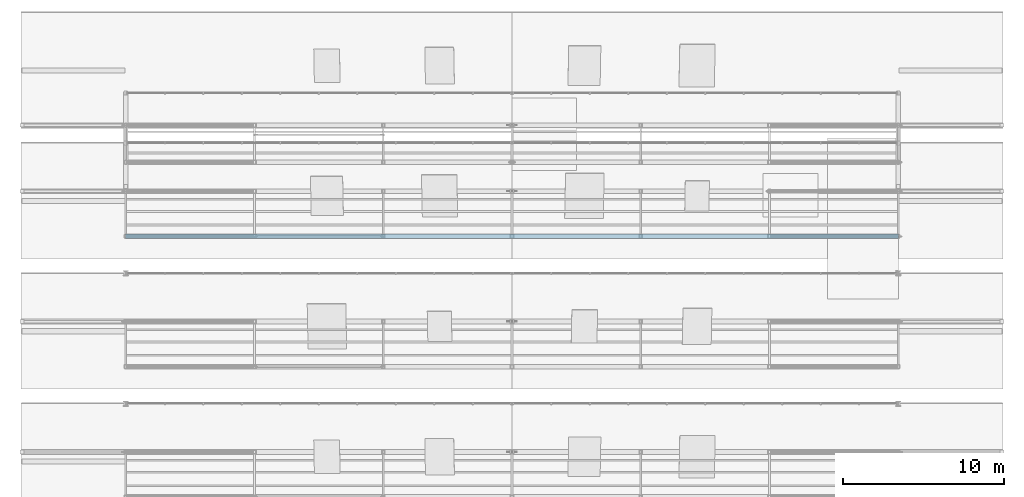
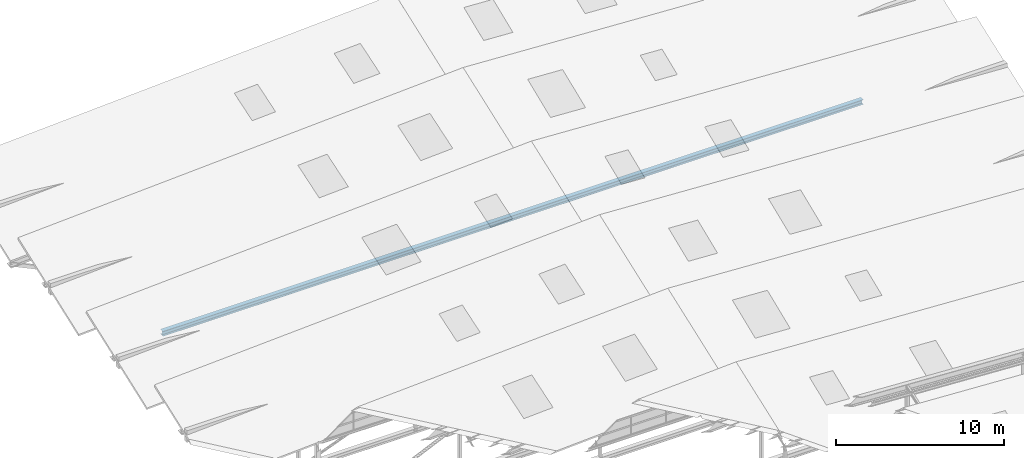
# One storey, part 91 of 141: 1 member.
"""IFC4 building model written with IfcOpenShell, lengths in metres."""

import ifcopenshell
import ifcopenshell.guid

model = None  # the IFC model being written
_history = None  # IfcOwnerHistory: only IFC2X3 demands one
_inside = {}  # id of a spatial element -> (the spatial element, [elements in it])
_under = {}  # id of a project, library or spatial element -> (it, [spatial elements below it])
_declared = {}  # id of a project -> (the project, [libraries it declares])
_typed = {}  # id of a type object -> (the type object, [elements of that type])
_made_of = {}  # id of a material, layer set ... -> (it, [elements and type objects made of it])


def new_model(schema):
    """Start an empty IFC model of exactly this schema.

    Asked for "IFC4X3", IfcOpenShell would pick the latest addendum, in which some entities
    have other attributes; the version numbers below select the first issue.
    IFC2X3 requires an IfcOwnerHistory on every rooted entity: one is made here for all.
    """
    global model, _history
    if schema == "IFC4X3":
        model = ifcopenshell.file(schema_version=(4, 3, 0, 0))
    else:
        model = ifcopenshell.file(schema=schema)
    _inside.clear()
    _under.clear()
    _declared.clear()
    _typed.clear()
    _made_of.clear()
    _history = None
    if model.schema == "IFC2X3":
        org = make("IfcOrganization", Name="unknown")
        user = make(
            "IfcPersonAndOrganization",
            ThePerson=make("IfcPerson", FamilyName="unknown"),
            TheOrganization=org,
        )
        app = make(
            "IfcApplication",
            ApplicationDeveloper=org,
            Version="unknown",
            ApplicationFullName="unknown",
            ApplicationIdentifier="unknown",
        )
        _history = make(
            "IfcOwnerHistory",
            OwningUser=user,
            OwningApplication=app,
            ChangeAction="ADDED",
            CreationDate=0,
        )
    return model


def make(cls, **values):
    """One entity of the class cls with the attributes given. An attribute that is None is left unset."""
    return model.create_entity(
        cls, **{name: value for name, value in values.items() if value is not None}
    )


def rooted(cls, **values):
    """An entity with a GlobalId (a new one), such as an element, a storey or a relation."""
    return make(cls, GlobalId=ifcopenshell.guid.new(), OwnerHistory=_history, **values)


def si_unit(unit_type, name, prefix=None):
    """IfcSIUnit, for example si_unit("LENGTHUNIT", "METRE", prefix="MILLI")."""
    return make("IfcSIUnit", UnitType=unit_type, Prefix=prefix, Name=name)


def assignment(units):
    """IfcUnitAssignment: the units of a project."""
    return None if units is None else make("IfcUnitAssignment", Units=units)


def point(xyz):
    """IfcCartesianPoint."""
    return None if xyz is None else make("IfcCartesianPoint", Coordinates=xyz)


def direction(xyz):
    """IfcDirection."""
    return None if xyz is None else make("IfcDirection", DirectionRatios=xyz)


def frame(location, z_axis=None, x_axis=None):
    """IfcAxis2Placement3D, a coordinate frame: its origin and axes. An axis left out is left unset."""
    return make(
        "IfcAxis2Placement3D",
        Location=point(location),
        Axis=direction(z_axis),
        RefDirection=direction(x_axis),
    )


def frame_2d(location, x_axis=None):
    """IfcAxis2Placement2D, a coordinate frame in the plane: its origin and x axis."""
    return make(
        "IfcAxis2Placement2D", Location=point(location), RefDirection=direction(x_axis)
    )


def origin():
    """The frame at (0, 0, 0) with its axes left unset."""
    return frame((0.0, 0.0, 0.0))


def origin_2d():
    """The frame at (0, 0) in the plane with its x axis left unset."""
    return frame_2d((0.0, 0.0))


def place(relative_to, where):
    """IfcLocalPlacement: puts the frame where relative to a parent placement (None: the world)."""
    return make(
        "IfcLocalPlacement", PlacementRelTo=relative_to, RelativePlacement=where
    )


def context(
    kind, dimensions, precision=None, world=None, true_north=None, identifier=None
):
    """IfcGeometricRepresentationContext, for example the 3D "Model" context."""
    return make(
        "IfcGeometricRepresentationContext",
        ContextIdentifier=identifier,
        ContextType=kind,
        CoordinateSpaceDimension=dimensions,
        Precision=precision,
        WorldCoordinateSystem=world,
        TrueNorth=true_north,
    )


def subcontext(parent, identifier, kind, view, scale=None):
    """IfcGeometricRepresentationSubContext, for example "Body" below "Model"."""
    return make(
        "IfcGeometricRepresentationSubContext",
        ContextIdentifier=identifier,
        ContextType=kind,
        ParentContext=parent,
        TargetScale=scale,
        TargetView=view,
    )


def project(units=None, contexts=None):
    """IfcProject with its units and contexts."""
    return rooted(
        "IfcProject",
        Name="project",
        RepresentationContexts=contexts,
        UnitsInContext=assignment(units),
    )


def spatial(cls, under=None, at=None, **own):
    """A site, building, storey or space (cls), placed at a placement, below another one or the project."""
    s = rooted(cls, ObjectPlacement=at, **own)
    if under is not None:
        _under.setdefault(under.id(), (under, []))[1].append(s)
    return s


def profile(cls, at=None, kind="AREA", **sizes):
    """A parametric profile (cls). Its sizes go by their IFC names, for example OverallWidth=200.0."""
    return make(cls, ProfileType=kind, Position=at, **sizes)


def i_section(**sizes):
    """IfcIShapeProfileDef."""
    return profile("IfcIShapeProfileDef", **sizes)


def extrude(swept, where, along, depth):
    """IfcExtrudedAreaSolid: the profile swept, set in the frame where, extruded along a direction by depth."""
    return make(
        "IfcExtrudedAreaSolid",
        SweptArea=swept,
        Position=where,
        ExtrudedDirection=direction(along),
        Depth=depth,
    )


def shape(context_of_items, identifier, shape_type, items):
    """IfcShapeRepresentation: the items that make up one representation, for example the "Body"."""
    return make(
        "IfcShapeRepresentation",
        ContextOfItems=context_of_items,
        RepresentationIdentifier=identifier,
        RepresentationType=shape_type,
        Items=items,
    )


def material(Name=None, Category=None):
    """IfcMaterial."""
    return make("IfcMaterial", Name=Name, Category=Category)


def material_profile(
    of_material, cross_section, Name=None, Category=None, Priority=None
):
    """IfcMaterialProfile: a cross section and its material."""
    return make(
        "IfcMaterialProfile",
        Name=Name,
        Material=of_material,
        Profile=cross_section,
        Priority=Priority,
        Category=Category,
    )


def profile_set(profiles, Name=None, composite=None):
    """IfcMaterialProfileSet."""
    return make(
        "IfcMaterialProfileSet",
        Name=Name,
        MaterialProfiles=profiles,
        CompositeProfile=composite,
    )


def made_of(thing, what):
    """Note that an element or type object is made of a material, layer set ...; save() writes the relation."""
    if what is not None:
        _made_of.setdefault(what.id(), (what, []))[1].append(thing)
    return thing


def type_object(cls, material=None, **own):
    """A type object (cls), such as IfcWallType, which elements share."""
    return made_of(rooted(cls, **own), material)


def element(
    cls,
    number,
    at=None,
    inside=None,
    cuts=None,
    type_object=None,
    material=None,
    context=None,
    identifier="Body",
    shape_type=None,
    held_by="IfcProductDefinitionShape",
    body=None,
    shapes=None,
    **own,
):
    """One element of the class cls, such as IfcWall. Its Tag is "e" and its number.

    at: its placement. inside: the storey or other place that contains it. cuts: it is an
    opening in that element (IfcRelVoidsElement). A single representation is given by context,
    identifier, shape_type and body (its items); several are given by shapes. held_by: the class
    of the entity that holds the representations. save() writes the other relations.
    """
    e = rooted(cls, Tag="e%d" % number, ObjectPlacement=at, **own)
    if body is not None:
        shapes = [shape(context, identifier, shape_type, body)]
    if shapes is not None:
        e.Representation = make(held_by, Representations=shapes)
    if inside is not None:
        _inside.setdefault(inside.id(), (inside, []))[1].append(e)
    if cuts is not None:
        rooted(
            "IfcRelVoidsElement", RelatingBuildingElement=cuts, RelatedOpeningElement=e
        )
    if type_object is not None:
        _typed.setdefault(type_object.id(), (type_object, []))[1].append(e)
    return made_of(e, material)


def aggregate(whole, parts):
    """IfcRelAggregates: a whole, such as a stair, and the parts it consists of."""
    return rooted("IfcRelAggregates", RelatingObject=whole, RelatedObjects=parts)


def save(model, path):
    """Write the relations noted so far, then the file.

    IfcRelAggregates (storeys below a building ...), IfcRelContainedInSpatialStructure (elements
    in a storey), IfcRelDefinesByType, IfcRelAssociatesMaterial and IfcRelDeclares: one each for
    every whole, place, type object, material and project.
    """
    for whole, parts in _under.values():
        aggregate(whole, parts)
    for where, things in _inside.values():
        rooted(
            "IfcRelContainedInSpatialStructure",
            RelatedElements=things,
            RelatingStructure=where,
        )
    for kind, things in _typed.values():
        rooted("IfcRelDefinesByType", RelatedObjects=things, RelatingType=kind)
    for what, things in _made_of.values():
        rooted("IfcRelAssociatesMaterial", RelatedObjects=things, RelatingMaterial=what)
    for by, libraries in _declared.values():
        rooted("IfcRelDeclares", RelatingContext=by, RelatedDefinitions=libraries)
    model.write(path)


model = new_model("IFC4")

# Units and contexts
model_context = context("Model", 3, precision=1e-05, world=origin(), true_north=direction((0.0, 1.0)))
body_context = subcontext(model_context, "Body", "Model", "MODEL_VIEW")
ifc_project = project(units=[si_unit("LENGTHUNIT", "METRE"), si_unit("AREAUNIT", "SQUARE_METRE"), si_unit("VOLUMEUNIT", "CUBIC_METRE"), si_unit("PLANEANGLEUNIT", "RADIAN"), si_unit("MASSUNIT", "GRAM", prefix="KILO")], contexts=[model_context])

# Site, building, storey
site_placement = place(None, origin())
site = spatial("IfcSite", under=ifc_project, at=site_placement, CompositionType="ELEMENT")
building_placement = place(site_placement, origin())
building = spatial("IfcBuilding", under=site, at=building_placement, Name="Sundkrona Museum", CompositionType="ELEMENT")
storey_placement = place(building_placement, frame((0.0, 0.0, 34.0)))
storey = spatial("IfcBuildingStorey", under=building, at=storey_placement, Name="RF", CompositionType="ELEMENT", Elevation=34.0)

# Member
ifc_material = material(Name="Steel S355J2", Category="steel")
ifc_material_profile = material_profile(ifc_material, i_section(OverallWidth=0.300048828125, OverallDepth=0.35009765625, WebThickness=0.010009765625, FlangeThickness=0.017578125, FilletRadius=0.027099609375, at=origin_2d()), Name="HEA 360")
ifc_profile_set = profile_set([ifc_material_profile], Name="Steel S355J2")
member_type = type_object("IfcMemberType", Name="TC-HEA360", PredefinedType="CHORD", material=ifc_profile_set)
member_placement = place(storey_placement, frame((120.0, 36.89990234375, -0.25), z_axis=(1.0, 0.0, 0.0), x_axis=(0.0, 1.0, 0.0)))
element("IfcMember", 1, at=member_placement, inside=storey, type_object=member_type, Name="RFS-1 Sawtooth Valley Truss 6 Bottom Chord", PredefinedType="CHORD", context=body_context, shape_type="SweptSolid", body=[
    extrude(i_section(OverallWidth=0.300048828125, OverallDepth=0.35009765625, WebThickness=0.010009765625, FlangeThickness=0.017578125, FilletRadius=0.027099609375, at=origin_2d()), origin(), (0.0, 0.0, 1.0), 48.0),
])

save(model, "model.ifc")
